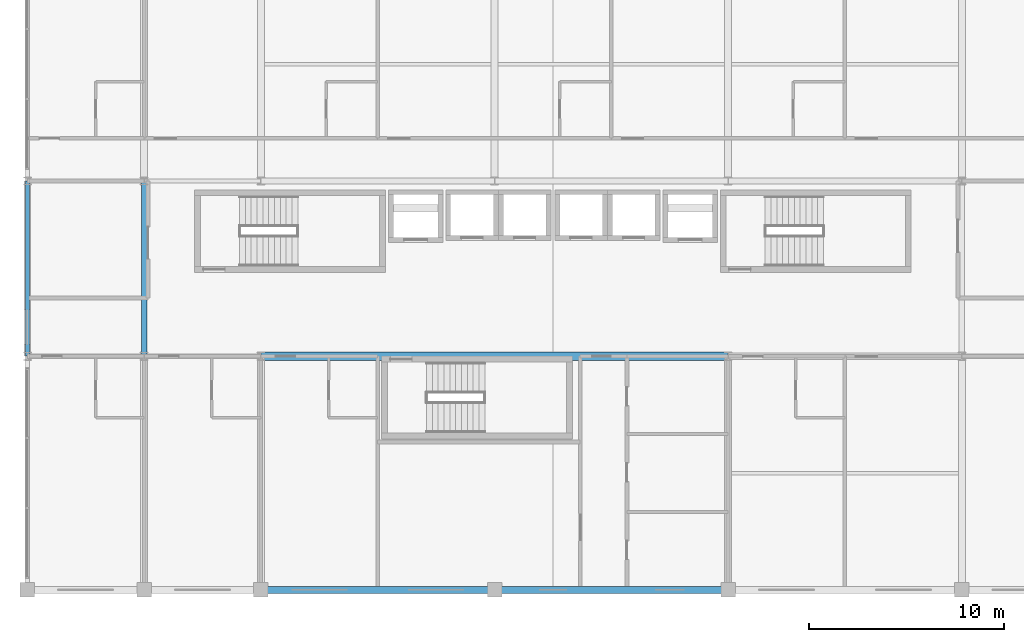
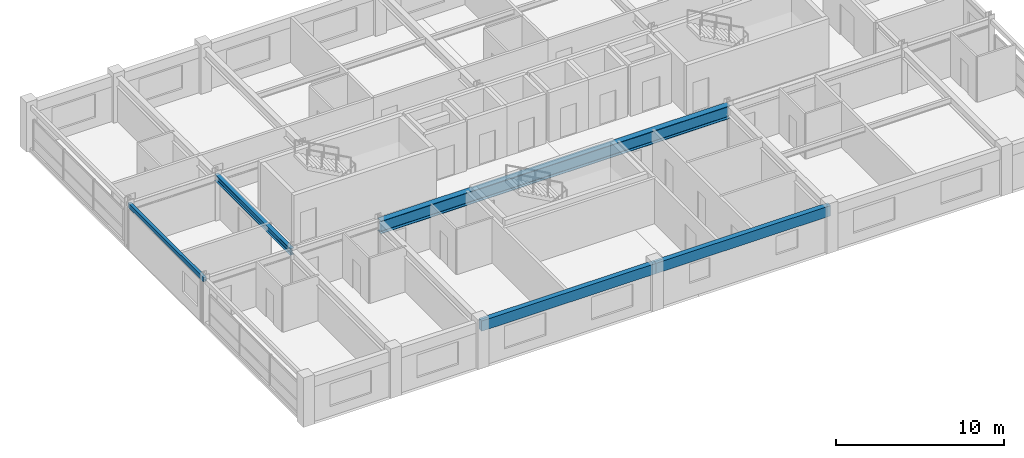
# One storey, part 5 of 20: 5 beams.
"""IFC4 building model written with IfcOpenShell, lengths in metres."""

from ifc_helpers import new_model, si_unit, direction, frame, origin, origin_2d, place, context, subcontext, project, spatial, rectangle, hollow_rectangle, i_section, extrude, material, material_profile, profile_set, type_object, element, save


model = new_model("IFC4")

# Units and contexts
model_context = context("Model", 3, precision=1e-05, world=origin(), true_north=direction((0.0, 1.0)))
body_context = subcontext(model_context, "Body", "Model", "MODEL_VIEW")
ifc_project = project(units=[si_unit("LENGTHUNIT", "METRE"), si_unit("AREAUNIT", "SQUARE_METRE"), si_unit("VOLUMEUNIT", "CUBIC_METRE"), si_unit("PLANEANGLEUNIT", "RADIAN"), si_unit("MASSUNIT", "GRAM", prefix="KILO")], contexts=[model_context])

# Site, building, storey
site_placement = place(None, origin())
site = spatial("IfcSite", under=ifc_project, at=site_placement, CompositionType="ELEMENT")
building_placement = place(site_placement, origin())
building = spatial("IfcBuilding", under=site, at=building_placement, Name="Kaldorvane Square Convention Centre", CompositionType="ELEMENT")
storey_placement = place(building_placement, frame((0.0, 0.0, 56.399993896484375)))
storey = spatial("IfcBuildingStorey", under=building, at=storey_placement, Name="L13", CompositionType="ELEMENT", Elevation=56.399993896484375)

# Beams
ifc_material_1 = material(Name="Steel ASTM A992 Gr. 50", Category="steel")
ifc_material_profile_1 = material_profile(ifc_material_1, i_section(OverallWidth=0.418304443359375, OverallDepth=0.926605224609375, WebThickness=0.0193023681640625, FlangeThickness=0.0319976806640625, FilletRadius=0.0240936279296875, at=origin_2d()), Name="W36X231")
ifc_profile_set_1 = profile_set([ifc_material_profile_1], Name="Steel ASTM A992 Gr. 50")
beam_type_1 = type_object("IfcBeamType", Name="BM-GR-W36X231", PredefinedType="BEAM", material=ifc_profile_set_1)
beam_1_placement = place(storey_placement, frame((42.0, 96.0, 2.8227081298828125), z_axis=(1.0, 0.0, 0.0), x_axis=(0.0, 1.0, 0.0)))
element("IfcBeam", 1, at=beam_1_placement, inside=storey, type_object=beam_type_1, Name="Primary Girder (L13)", PredefinedType="BEAM", context=body_context, shape_type="SweptSolid", body=[
    extrude(i_section(OverallWidth=0.418304443359375, OverallDepth=0.926605224609375, WebThickness=0.0193023681640625, FlangeThickness=0.0319976806640625, FilletRadius=0.0240936279296875, at=origin_2d()), origin(), (0.0, 0.0, 1.0), 24.0),
])
ifc_material_profile_2 = material_profile(ifc_material_1, i_section(OverallWidth=0.2799072265625, OverallDepth=0.462799072265625, WebThickness=0.01080322265625, FlangeThickness=0.017303466796875, FilletRadius=0.01019287109375, at=origin_2d()), Name="W18X76")
ifc_profile_set_2 = profile_set([ifc_material_profile_2], Name="Steel ASTM A992 Gr. 50")
beam_type_2 = type_object("IfcBeamType", Name="BM-JS-W18X76", PredefinedType="JOIST", material=ifc_profile_set_2)
beam_2_placement = place(storey_placement, frame((36.0, 96.0, 3.0546112060546875), z_axis=(0.0, 1.0, 0.0), x_axis=(-1.0, 0.0, 0.0)))
element("IfcBeam", 2, at=beam_2_placement, inside=storey, type_object=beam_type_2, Name="Transverse Girder (L13)", PredefinedType="JOIST", context=body_context, shape_type="SweptSolid", body=[
    extrude(i_section(OverallWidth=0.2799072265625, OverallDepth=0.462799072265625, WebThickness=0.01080322265625, FlangeThickness=0.017303466796875, FilletRadius=0.01019287109375, at=origin_2d()), origin(), (0.0, 0.0, 1.0), 9.0),
])
ifc_material_2 = material(Name="Steel ASTM A500 Gr. C", Category="steel")
ifc_material_profile_3 = material_profile(ifc_material_2, hollow_rectangle(XDim=0.2032012939453125, YDim=0.3047943115234375, WallThickness=0.0088958740234375, at=origin_2d()), Name="HSS12X8X3/8")
ifc_profile_set_3 = profile_set([ifc_material_profile_3], Name="Steel ASTM A500 Gr. C")
beam_type_3 = type_object("IfcBeamType", Name="BM-SP-HSS12", PredefinedType="SPANDREL", material=ifc_profile_set_3)
beam_3_placement = place(storey_placement, frame((30.0, 96.0, 3.13360595703125), z_axis=(0.0, 1.0, 0.0), x_axis=(-1.0, 0.0, 0.0)))
element("IfcBeam", 3, at=beam_3_placement, inside=storey, type_object=beam_type_3, Name="End Spandrel (L13)", PredefinedType="SPANDREL", context=body_context, shape_type="SweptSolid", body=[
    extrude(hollow_rectangle(XDim=0.2032012939453125, YDim=0.3047943115234375, WallThickness=0.0088958740234375, at=origin_2d()), origin(), (0.0, 0.0, 1.0), 9.0),
])
ifc_material_3 = material(Name="Concrete f'c = 42 MPa (Normalweight)", Category="concrete")
ifc_material_profile_4 = material_profile(ifc_material_3, rectangle(XDim=0.350006103515625, YDim=0.75, at=origin_2d()), Name="RCSP750X350")
ifc_profile_set_4 = profile_set([ifc_material_profile_4], Name="Concrete f'c = 42 MPa (Normalweight)")
beam_type_4 = type_object("IfcBeamType", Name="BM-SP-RC750", PredefinedType="SPANDREL", material=ifc_profile_set_4)
for number, where, z_axis, x_axis, name in (
    (4, (42.0, 84.0, 2.9110107421875), (1.0, 0.0, 0.0), (0.0, 1.0, 0.0), "Perimeter Spandrel (L13)"),
    (5, (54.0, 84.0, 2.9110107421875), (1.0, 0.0, 0.0), (0.0, 1.0, 0.0), "Perimeter Spandrel (L13)"),
):
    element("IfcBeam", number, at=place(storey_placement, frame(where, z_axis=z_axis, x_axis=x_axis)), inside=storey, type_object=beam_type_4, Name=name, PredefinedType="SPANDREL", context=body_context, shape_type="SweptSolid", body=[
        extrude(rectangle(XDim=0.350006103515625, YDim=0.75, at=origin_2d()), origin(), (0.0, 0.0, 1.0), 12.0),
    ])

save(model, "model.ifc")
